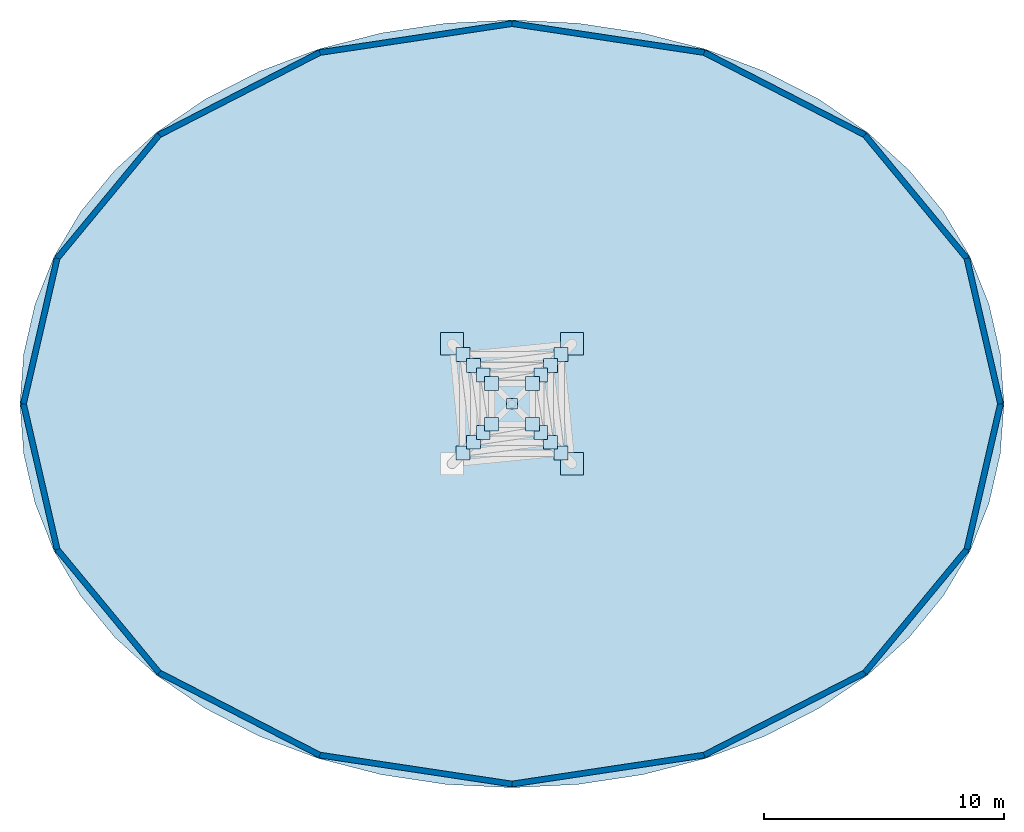
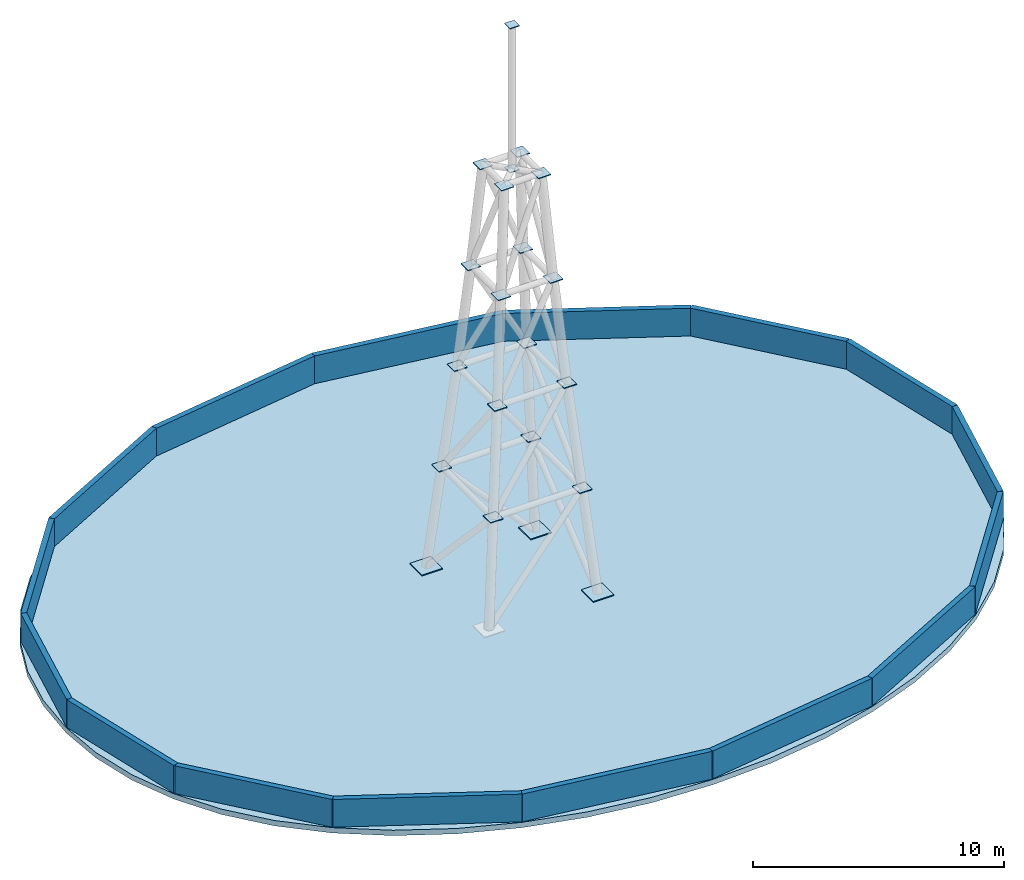
# One storey, part 2 of 2: 21 plates, 16 walls, 1 slab.
"""IFC4 building model written with IfcOpenShell, lengths in metres."""

import ifcopenshell
import ifcopenshell.guid

model = None  # the IFC model being written
_history = None  # IfcOwnerHistory: only IFC2X3 demands one
_inside = {}  # id of a spatial element -> (the spatial element, [elements in it])
_under = {}  # id of a project, library or spatial element -> (it, [spatial elements below it])
_declared = {}  # id of a project -> (the project, [libraries it declares])
_typed = {}  # id of a type object -> (the type object, [elements of that type])
_made_of = {}  # id of a material, layer set ... -> (it, [elements and type objects made of it])


def new_model(schema):
    """Start an empty IFC model of exactly this schema.

    Asked for "IFC4X3", IfcOpenShell would pick the latest addendum, in which some entities
    have other attributes; the version numbers below select the first issue.
    IFC2X3 requires an IfcOwnerHistory on every rooted entity: one is made here for all.
    """
    global model, _history
    if schema == "IFC4X3":
        model = ifcopenshell.file(schema_version=(4, 3, 0, 0))
    else:
        model = ifcopenshell.file(schema=schema)
    _inside.clear()
    _under.clear()
    _declared.clear()
    _typed.clear()
    _made_of.clear()
    _history = None
    if model.schema == "IFC2X3":
        org = make("IfcOrganization", Name="unknown")
        user = make(
            "IfcPersonAndOrganization",
            ThePerson=make("IfcPerson", FamilyName="unknown"),
            TheOrganization=org,
        )
        app = make(
            "IfcApplication",
            ApplicationDeveloper=org,
            Version="unknown",
            ApplicationFullName="unknown",
            ApplicationIdentifier="unknown",
        )
        _history = make(
            "IfcOwnerHistory",
            OwningUser=user,
            OwningApplication=app,
            ChangeAction="ADDED",
            CreationDate=0,
        )
    return model


def make(cls, **values):
    """One entity of the class cls with the attributes given. An attribute that is None is left unset."""
    return model.create_entity(
        cls, **{name: value for name, value in values.items() if value is not None}
    )


def rooted(cls, **values):
    """An entity with a GlobalId (a new one), such as an element, a storey or a relation."""
    return make(cls, GlobalId=ifcopenshell.guid.new(), OwnerHistory=_history, **values)


def si_unit(unit_type, name, prefix=None):
    """IfcSIUnit, for example si_unit("LENGTHUNIT", "METRE", prefix="MILLI")."""
    return make("IfcSIUnit", UnitType=unit_type, Prefix=prefix, Name=name)


def assignment(units):
    """IfcUnitAssignment: the units of a project."""
    return None if units is None else make("IfcUnitAssignment", Units=units)


def point(xyz):
    """IfcCartesianPoint."""
    return None if xyz is None else make("IfcCartesianPoint", Coordinates=xyz)


def direction(xyz):
    """IfcDirection."""
    return None if xyz is None else make("IfcDirection", DirectionRatios=xyz)


def frame(location, z_axis=None, x_axis=None):
    """IfcAxis2Placement3D, a coordinate frame: its origin and axes. An axis left out is left unset."""
    return make(
        "IfcAxis2Placement3D",
        Location=point(location),
        Axis=direction(z_axis),
        RefDirection=direction(x_axis),
    )


def frame_2d(location, x_axis=None):
    """IfcAxis2Placement2D, a coordinate frame in the plane: its origin and x axis."""
    return make(
        "IfcAxis2Placement2D", Location=point(location), RefDirection=direction(x_axis)
    )


def origin():
    """The frame at (0, 0, 0) with its axes left unset."""
    return frame((0.0, 0.0, 0.0))


def origin_2d():
    """The frame at (0, 0) in the plane with its x axis left unset."""
    return frame_2d((0.0, 0.0))


def place(relative_to, where):
    """IfcLocalPlacement: puts the frame where relative to a parent placement (None: the world)."""
    return make(
        "IfcLocalPlacement", PlacementRelTo=relative_to, RelativePlacement=where
    )


def context(
    kind, dimensions, precision=None, world=None, true_north=None, identifier=None
):
    """IfcGeometricRepresentationContext, for example the 3D "Model" context."""
    return make(
        "IfcGeometricRepresentationContext",
        ContextIdentifier=identifier,
        ContextType=kind,
        CoordinateSpaceDimension=dimensions,
        Precision=precision,
        WorldCoordinateSystem=world,
        TrueNorth=true_north,
    )


def subcontext(parent, identifier, kind, view, scale=None):
    """IfcGeometricRepresentationSubContext, for example "Body" below "Model"."""
    return make(
        "IfcGeometricRepresentationSubContext",
        ContextIdentifier=identifier,
        ContextType=kind,
        ParentContext=parent,
        TargetScale=scale,
        TargetView=view,
    )


def project(units=None, contexts=None):
    """IfcProject with its units and contexts."""
    return rooted(
        "IfcProject",
        Name="project",
        RepresentationContexts=contexts,
        UnitsInContext=assignment(units),
    )


def spatial(cls, under=None, at=None, **own):
    """A site, building, storey or space (cls), placed at a placement, below another one or the project."""
    s = rooted(cls, ObjectPlacement=at, **own)
    if under is not None:
        _under.setdefault(under.id(), (under, []))[1].append(s)
    return s


def polyline(points):
    """IfcPolyline through the points."""
    return make("IfcPolyline", Points=[point(p) for p in points])


def profile(cls, at=None, kind="AREA", **sizes):
    """A parametric profile (cls). Its sizes go by their IFC names, for example OverallWidth=200.0."""
    return make(cls, ProfileType=kind, Position=at, **sizes)


def rectangle(**sizes):
    """IfcRectangleProfileDef."""
    return profile("IfcRectangleProfileDef", **sizes)


def outline(outer, holes=None, kind="AREA"):
    """IfcArbitraryClosedProfileDef: a profile drawn as a closed curve; with holes, ...WithVoids."""
    if holes is None:
        return make("IfcArbitraryClosedProfileDef", ProfileType=kind, OuterCurve=outer)
    return make(
        "IfcArbitraryProfileDefWithVoids",
        ProfileType=kind,
        OuterCurve=outer,
        InnerCurves=holes,
    )


def extrude(swept, where, along, depth):
    """IfcExtrudedAreaSolid: the profile swept, set in the frame where, extruded along a direction by depth."""
    return make(
        "IfcExtrudedAreaSolid",
        SweptArea=swept,
        Position=where,
        ExtrudedDirection=direction(along),
        Depth=depth,
    )


def shape(context_of_items, identifier, shape_type, items):
    """IfcShapeRepresentation: the items that make up one representation, for example the "Body"."""
    return make(
        "IfcShapeRepresentation",
        ContextOfItems=context_of_items,
        RepresentationIdentifier=identifier,
        RepresentationType=shape_type,
        Items=items,
    )


def material(Name=None, Category=None):
    """IfcMaterial."""
    return make("IfcMaterial", Name=Name, Category=Category)


def layer(
    of_material, thickness, ventilated=None, Name=None, Category=None, Priority=None
):
    """IfcMaterialLayer: one layer of a wall or slab, of a material (None: an air gap)."""
    return make(
        "IfcMaterialLayer",
        Material=of_material,
        LayerThickness=thickness,
        IsVentilated=ventilated,
        Name=Name,
        Category=Category,
        Priority=Priority,
    )


def layer_set(layers, Name=None):
    """IfcMaterialLayerSet."""
    return make("IfcMaterialLayerSet", MaterialLayers=layers, LayerSetName=Name)


def made_of(thing, what):
    """Note that an element or type object is made of a material, layer set ...; save() writes the relation."""
    if what is not None:
        _made_of.setdefault(what.id(), (what, []))[1].append(thing)
    return thing


def type_object(cls, material=None, **own):
    """A type object (cls), such as IfcWallType, which elements share."""
    return made_of(rooted(cls, **own), material)


def element(
    cls,
    number,
    at=None,
    inside=None,
    cuts=None,
    type_object=None,
    material=None,
    context=None,
    identifier="Body",
    shape_type=None,
    held_by="IfcProductDefinitionShape",
    body=None,
    shapes=None,
    **own,
):
    """One element of the class cls, such as IfcWall. Its Tag is "e" and its number.

    at: its placement. inside: the storey or other place that contains it. cuts: it is an
    opening in that element (IfcRelVoidsElement). A single representation is given by context,
    identifier, shape_type and body (its items); several are given by shapes. held_by: the class
    of the entity that holds the representations. save() writes the other relations.
    """
    e = rooted(cls, Tag="e%d" % number, ObjectPlacement=at, **own)
    if body is not None:
        shapes = [shape(context, identifier, shape_type, body)]
    if shapes is not None:
        e.Representation = make(held_by, Representations=shapes)
    if inside is not None:
        _inside.setdefault(inside.id(), (inside, []))[1].append(e)
    if cuts is not None:
        rooted(
            "IfcRelVoidsElement", RelatingBuildingElement=cuts, RelatedOpeningElement=e
        )
    if type_object is not None:
        _typed.setdefault(type_object.id(), (type_object, []))[1].append(e)
    return made_of(e, material)


def aggregate(whole, parts):
    """IfcRelAggregates: a whole, such as a stair, and the parts it consists of."""
    return rooted("IfcRelAggregates", RelatingObject=whole, RelatedObjects=parts)


def save(model, path):
    """Write the relations noted so far, then the file.

    IfcRelAggregates (storeys below a building ...), IfcRelContainedInSpatialStructure (elements
    in a storey), IfcRelDefinesByType, IfcRelAssociatesMaterial and IfcRelDeclares: one each for
    every whole, place, type object, material and project.
    """
    for whole, parts in _under.values():
        aggregate(whole, parts)
    for where, things in _inside.values():
        rooted(
            "IfcRelContainedInSpatialStructure",
            RelatedElements=things,
            RelatingStructure=where,
        )
    for kind, things in _typed.values():
        rooted("IfcRelDefinesByType", RelatedObjects=things, RelatingType=kind)
    for what, things in _made_of.values():
        rooted("IfcRelAssociatesMaterial", RelatedObjects=things, RelatingMaterial=what)
    for by, libraries in _declared.values():
        rooted("IfcRelDeclares", RelatingContext=by, RelatedDefinitions=libraries)
    model.write(path)


model = new_model("IFC4")

# Units and contexts
model_context = context("Model", 3, precision=1e-05, world=origin(), true_north=direction((0.0, 1.0)))
body_context = subcontext(model_context, "Body", "Model", "MODEL_VIEW")
ifc_project = project(units=[si_unit("LENGTHUNIT", "METRE"), si_unit("AREAUNIT", "SQUARE_METRE"), si_unit("VOLUMEUNIT", "CUBIC_METRE"), si_unit("PLANEANGLEUNIT", "RADIAN"), si_unit("MASSUNIT", "GRAM", prefix="KILO")], contexts=[model_context])

# Site, building, storey
site_placement = place(None, origin())
site = spatial("IfcSite", under=ifc_project, at=site_placement, CompositionType="ELEMENT")
building_placement = place(site_placement, origin())
building = spatial("IfcBuilding", under=site, at=building_placement, Name="Sarneth Arch Tower", CompositionType="ELEMENT")
storey_placement = place(building_placement, frame((0.0, 0.0, 327.0)))
storey = spatial("IfcBuildingStorey", under=building, at=storey_placement, Name="Roof", CompositionType="ELEMENT", Elevation=327.0)

# Plates
ifc_material_1 = material(Name="Steel S355", Category="steel")
ifc_layer_1 = layer(ifc_material_1, 0.035888671875)
ifc_layer_set_1 = layer_set([ifc_layer_1], Name="Steel S355")
plate_type_1 = type_object("IfcPlateType", Name="PLT-GUSSET-30", PredefinedType="SHEET", material=ifc_layer_set_1)
for number, where, z_axis, x_axis, name in (
    (1, (45.949951171875, 39.949951171875, 4.98193359375), (0.0, 0.0, 1.0), (1.0, 0.0, 0.0), "Steel end cap plate GP-1"),
    (2, (50.050048828125, 39.949951171875, 4.98193359375), (0.0, 0.0, 1.0), (1.0, 0.0, 0.0), "Steel end cap plate GP-1"),
    (3, (50.050048828125, 44.050048828125, 4.98193359375), (0.0, 0.0, 1.0), (1.0, 0.0, 0.0), "Steel end cap plate GP-1"),
    (4, (45.949951171875, 44.050048828125, 4.98193359375), (0.0, 0.0, 1.0), (1.0, 0.0, 0.0), "Steel end cap plate GP-1"),
    (5, (46.39990234375, 40.39990234375, 9.98193359375), (0.0, 0.0, 1.0), (1.0, 0.0, 0.0), "Steel end cap plate GP-1"),
    (6, (49.60009765625, 40.39990234375, 9.98193359375), (0.0, 0.0, 1.0), (1.0, 0.0, 0.0), "Steel end cap plate GP-1"),
    (7, (49.60009765625, 43.60009765625, 9.98193359375), (0.0, 0.0, 1.0), (1.0, 0.0, 0.0), "Steel end cap plate GP-1"),
    (8, (46.39990234375, 43.60009765625, 9.98193359375), (0.0, 0.0, 1.0), (1.0, 0.0, 0.0), "Steel end cap plate GP-1"),
    (9, (46.800048828125, 40.800048828125, 14.98193359375), (0.0, 0.0, 1.0), (1.0, 0.0, 0.0), "Steel end cap plate GP-1"),
    (10, (49.199951171875, 40.800048828125, 14.98193359375), (0.0, 0.0, 1.0), (1.0, 0.0, 0.0), "Steel end cap plate GP-1"),
    (11, (49.199951171875, 43.199951171875, 14.98193359375), (0.0, 0.0, 1.0), (1.0, 0.0, 0.0), "Steel end cap plate GP-1"),
    (12, (46.800048828125, 43.199951171875, 14.98193359375), (0.0, 0.0, 1.0), (1.0, 0.0, 0.0), "Steel end cap plate GP-1"),
    (13, (47.14990234375, 41.14990234375, 19.98193359375), (0.0, 0.0, 1.0), (1.0, 0.0, 0.0), "Steel end cap plate GP-1"),
    (14, (48.85009765625, 41.14990234375, 19.98193359375), (0.0, 0.0, 1.0), (1.0, 0.0, 0.0), "Steel end cap plate GP-1"),
    (15, (48.85009765625, 42.85009765625, 19.98193359375), (0.0, 0.0, 1.0), (1.0, 0.0, 0.0), "Steel end cap plate GP-1"),
    (16, (47.14990234375, 42.85009765625, 19.98193359375), (0.0, 0.0, 1.0), (1.0, 0.0, 0.0), "Steel end cap plate GP-1"),
):
    element("IfcPlate", number, at=place(storey_placement, frame(where, z_axis=z_axis, x_axis=x_axis)), inside=storey, type_object=plate_type_1, Name=name, PredefinedType="SHEET", context=body_context, shape_type="SweptSolid", body=[
        extrude(rectangle(XDim=0.580078125, YDim=0.580078125, at=origin_2d()), origin(), (0.0, 0.0, 1.0), 0.035888671875),
    ])
for number, where, z_axis, x_axis, name in (
    (17, (48.0, 42.0, 19.98193359375), (0.0, 0.0, 1.0), (1.0, 0.0, 0.0), "Steel end cap plate GP-1"),
    (18, (48.0, 42.0, 26.98193359375), (0.0, 0.0, 1.0), (1.0, 0.0, 0.0), "Steel end cap plate GP-1"),
):
    element("IfcPlate", number, at=place(storey_placement, frame(where, z_axis=z_axis, x_axis=x_axis)), inside=storey, type_object=plate_type_1, Name=name, PredefinedType="SHEET", context=body_context, shape_type="SweptSolid", body=[
        extrude(rectangle(XDim=0.43994140625, YDim=0.43994140625, at=origin_2d()), origin(), (0.0, 0.0, 1.0), 0.035888671875),
    ])
ifc_material_2 = material(Name="Steel S355", Category="steel")
ifc_layer_2 = layer(ifc_material_2, 0.050048828125)
ifc_layer_set_2 = layer_set([ifc_layer_2], Name="Steel S355")
plate_type_2 = type_object("IfcPlateType", Name="PLT-MAST-BASE-50", PredefinedType="SHEET", material=ifc_layer_set_2)
for number, where, z_axis, x_axis, name in (
    (19, (50.5, 39.5, 0.0), (0.0, 0.0, 1.0), (1.0, 0.0, 0.0), "Broadcast Mast Base Plate 2"),
    (20, (50.5, 44.5, 0.0), (0.0, 0.0, 1.0), (1.0, 0.0, 0.0), "Broadcast Mast Base Plate 3"),
    (21, (45.5, 44.5, 0.0), (0.0, 0.0, 1.0), (1.0, 0.0, 0.0), "Broadcast Mast Base Plate 4"),
):
    element("IfcPlate", number, at=place(storey_placement, frame(where, z_axis=z_axis, x_axis=x_axis)), inside=storey, type_object=plate_type_2, Name=name, PredefinedType="SHEET", context=body_context, shape_type="SweptSolid", body=[
        extrude(rectangle(XDim=0.949951171875, YDim=0.949951171875, at=origin_2d()), origin(), (0.0, 0.0, 1.0), 0.050048828125),
    ])

# Slab
ifc_material_3 = material(Name="Concrete C50/60", Category="concrete")
ifc_layer_3 = layer(ifc_material_3, 0.260009765625)
ifc_layer_set_3 = layer_set([ifc_layer_3], Name="Concrete C50/60")
slab_type = type_object("IfcSlabType", Name="SLAB-ROOF-260", PredefinedType="ROOF", material=ifc_layer_set_3)
slab_placement = place(storey_placement, frame((0.0, 0.0, -0.260009765625)))
element("IfcSlab", 22, at=slab_placement, inside=storey, type_object=slab_type, Name="Rooftop drum structural roof slab", PredefinedType="ROOF", context=body_context, shape_type="SweptSolid", body=[
    extrude(outline(polyline([(68.50927734375, 42.0), (68.353515625, 44.08837890625), (67.88427734375, 46.14111328125), (67.09619140625, 48.123046875), (65.9853515625, 50.0), (64.553955078125, 51.740234375), (62.8154296875, 53.313720703125), (60.79541015625, 54.693603515625), (58.531494140625, 55.8564453125), (56.06982421875, 56.781982421875), (53.46044921875, 57.454833984375), (50.754150390625, 57.863037109375), (48.0, 58.0), (45.245849609375, 57.863037109375), (42.53955078125, 57.454833984375), (39.93017578125, 56.781982421875), (37.468505859375, 55.8564453125), (35.20458984375, 54.693603515625), (33.1845703125, 53.313720703125), (31.446044921875, 51.740234375), (30.0146484375, 50.0), (28.90380859375, 48.123046875), (28.11572265625, 46.14111328125), (27.646484375, 44.08837890625), (27.49072265625, 42.0), (27.646484375, 39.91162109375), (28.11572265625, 37.85888671875), (28.90380859375, 35.876953125), (30.0146484375, 34.0), (31.446044921875, 32.259765625), (33.1845703125, 30.686279296875), (35.20458984375, 29.306396484375), (37.468505859375, 28.1435546875), (39.93017578125, 27.218017578125), (42.53955078125, 26.545166015625), (45.245849609375, 26.136962890625), (48.0, 26.0), (50.754150390625, 26.136962890625), (53.46044921875, 26.545166015625), (56.06982421875, 27.218017578125), (58.531494140625, 28.1435546875), (60.79541015625, 29.306396484375), (62.8154296875, 30.686279296875), (64.553955078125, 32.259765625), (65.9853515625, 34.0), (67.09619140625, 35.876953125), (67.88427734375, 37.85888671875), (68.353515625, 39.91162109375), (68.50927734375, 42.0)])), origin(), (0.0, 0.0, 1.0), 0.260009765625),
])

# Walls
ifc_material_4 = material(Name="Extruded terracotta rainscreen on Concrete C40/50 backing", Category="masonry")
ifc_layer_4 = layer(ifc_material_4, 0.239990234375)
ifc_layer_set_4 = layer_set([ifc_layer_4], Name="Extruded terracotta rainscreen on Concrete C40/50 backing")
wall_type = type_object("IfcWallType", Name="WALL-PARAPET-240", PredefinedType="PARAPET", material=ifc_layer_set_4)
wall_1_placement = place(storey_placement, frame((68.36328125, 42.0, 0.0), z_axis=(0.0, 0.0, 1.0), x_axis=(-0.225334918394, 0.974281363135, 0.0)))
element("IfcWall", 23, at=wall_1_placement, inside=storey, type_object=wall_type, Name="Rooftop drum parapet 01", PredefinedType="PARAPET", context=body_context, shape_type="SweptSolid", body=[
    extrude(rectangle(XDim=6.2255859375, YDim=0.239990234375, at=frame_2d((3.11279296875, 0.0))), origin(), (0.0, 0.0, 1.0), 1.35009765625),
])
wall_2_placement = place(storey_placement, frame((66.96044921875, 48.0654296875, 0.0), z_axis=(0.0, 0.0, 1.0), x_axis=(-0.637097995572, 0.770782812495, 0.0)))
element("IfcWall", 24, at=wall_2_placement, inside=storey, type_object=wall_type, Name="Rooftop drum parapet 02", PredefinedType="PARAPET", context=body_context, shape_type="SweptSolid", body=[
    extrude(rectangle(XDim=6.671142578125, YDim=0.239990234375, at=frame_2d((3.33544921875, 0.0))), origin(), (0.0, 0.0, 1.0), 1.35009765625),
])
wall_3_placement = place(storey_placement, frame((62.710205078125, 53.20751953125, 0.0), z_axis=(0.0, 0.0, 1.0), x_axis=(-0.889747894379, 0.456452280582, 0.0)))
element("IfcWall", 25, at=wall_3_placement, inside=storey, type_object=wall_type, Name="Rooftop drum parapet 03", PredefinedType="PARAPET", context=body_context, shape_type="SweptSolid", body=[
    extrude(rectangle(XDim=7.527587890625, YDim=0.239990234375, at=frame_2d((3.763671875, 0.0))), origin(), (0.0, 0.0, 1.0), 1.35009765625),
])
for number, where, z_axis, x_axis, name in (
    (26, (56.012451171875, 56.6435546875, 0.0), (0.0, 0.0, 1.0), (-0.988851546642, 0.148904730294, 0.0), "Rooftop drum parapet 04"),
    (27, (48.0, 57.85009765625, 0.0), (0.0, 0.0, 1.0), (-0.988851546642, -0.148904730294, 0.0), "Rooftop drum parapet 05"),
):
    element("IfcWall", number, at=place(storey_placement, frame(where, z_axis=z_axis, x_axis=x_axis)), inside=storey, type_object=wall_type, Name=name, PredefinedType="PARAPET", context=body_context, shape_type="SweptSolid", body=[
        extrude(rectangle(XDim=8.102783203125, YDim=0.239990234375, at=frame_2d((4.05126953125, 0.0))), origin(), (0.0, 0.0, 1.0), 1.35009765625),
    ])
wall_4_placement = place(storey_placement, frame((39.987548828125, 56.6435546875, 0.0), z_axis=(0.0, 0.0, 1.0), x_axis=(-0.889747894379, -0.456452280582, 0.0)))
element("IfcWall", 28, at=wall_4_placement, inside=storey, type_object=wall_type, Name="Rooftop drum parapet 06", PredefinedType="PARAPET", context=body_context, shape_type="SweptSolid", body=[
    extrude(rectangle(XDim=7.527587890625, YDim=0.239990234375, at=frame_2d((3.763671875, 0.0))), origin(), (0.0, 0.0, 1.0), 1.35009765625),
])
wall_5_placement = place(storey_placement, frame((33.289794921875, 53.20751953125, 0.0), z_axis=(0.0, 0.0, 1.0), x_axis=(-0.637097995572, -0.770782812495, 0.0)))
element("IfcWall", 29, at=wall_5_placement, inside=storey, type_object=wall_type, Name="Rooftop drum parapet 07", PredefinedType="PARAPET", context=body_context, shape_type="SweptSolid", body=[
    extrude(rectangle(XDim=6.671142578125, YDim=0.239990234375, at=frame_2d((3.33544921875, 0.0))), origin(), (0.0, 0.0, 1.0), 1.35009765625),
])
for number, where, z_axis, x_axis, name in (
    (30, (29.03955078125, 48.0654296875, 0.0), (0.0, 0.0, 1.0), (-0.225334918394, -0.974281363135, 0.0), "Rooftop drum parapet 08"),
    (31, (27.63671875, 42.0, 0.0), (0.0, 0.0, 1.0), (0.225334918394, -0.974281363135, 0.0), "Rooftop drum parapet 09"),
):
    element("IfcWall", number, at=place(storey_placement, frame(where, z_axis=z_axis, x_axis=x_axis)), inside=storey, type_object=wall_type, Name=name, PredefinedType="PARAPET", context=body_context, shape_type="SweptSolid", body=[
        extrude(rectangle(XDim=6.2255859375, YDim=0.239990234375, at=frame_2d((3.11279296875, 0.0))), origin(), (0.0, 0.0, 1.0), 1.35009765625),
    ])
wall_6_placement = place(storey_placement, frame((29.03955078125, 35.9345703125, 0.0), z_axis=(0.0, 0.0, 1.0), x_axis=(0.637097995572, -0.770782812495, 0.0)))
element("IfcWall", 32, at=wall_6_placement, inside=storey, type_object=wall_type, Name="Rooftop drum parapet 10", PredefinedType="PARAPET", context=body_context, shape_type="SweptSolid", body=[
    extrude(rectangle(XDim=6.671142578125, YDim=0.239990234375, at=frame_2d((3.33544921875, 0.0))), origin(), (0.0, 0.0, 1.0), 1.35009765625),
])
wall_7_placement = place(storey_placement, frame((33.289794921875, 30.79248046875, 0.0), z_axis=(0.0, 0.0, 1.0), x_axis=(0.889747894379, -0.456452280582, 0.0)))
element("IfcWall", 33, at=wall_7_placement, inside=storey, type_object=wall_type, Name="Rooftop drum parapet 11", PredefinedType="PARAPET", context=body_context, shape_type="SweptSolid", body=[
    extrude(rectangle(XDim=7.527587890625, YDim=0.239990234375, at=frame_2d((3.763671875, 0.0))), origin(), (0.0, 0.0, 1.0), 1.35009765625),
])
for number, where, z_axis, x_axis, name in (
    (34, (39.987548828125, 27.3564453125, 0.0), (0.0, 0.0, 1.0), (0.988851546642, -0.148904730294, 0.0), "Rooftop drum parapet 12"),
    (35, (48.0, 26.14990234375, 0.0), (0.0, 0.0, 1.0), (0.988851546642, 0.148904730294, 0.0), "Rooftop drum parapet 13"),
):
    element("IfcWall", number, at=place(storey_placement, frame(where, z_axis=z_axis, x_axis=x_axis)), inside=storey, type_object=wall_type, Name=name, PredefinedType="PARAPET", context=body_context, shape_type="SweptSolid", body=[
        extrude(rectangle(XDim=8.102783203125, YDim=0.239990234375, at=frame_2d((4.05126953125, 0.0))), origin(), (0.0, 0.0, 1.0), 1.35009765625),
    ])
wall_8_placement = place(storey_placement, frame((56.012451171875, 27.3564453125, 0.0), z_axis=(0.0, 0.0, 1.0), x_axis=(0.889747894379, 0.456452280582, 0.0)))
element("IfcWall", 36, at=wall_8_placement, inside=storey, type_object=wall_type, Name="Rooftop drum parapet 14", PredefinedType="PARAPET", context=body_context, shape_type="SweptSolid", body=[
    extrude(rectangle(XDim=7.527587890625, YDim=0.239990234375, at=frame_2d((3.763671875, 0.0))), origin(), (0.0, 0.0, 1.0), 1.35009765625),
])
wall_9_placement = place(storey_placement, frame((62.710205078125, 30.79248046875, 0.0), z_axis=(0.0, 0.0, 1.0), x_axis=(0.637097995572, 0.770782812495, 0.0)))
element("IfcWall", 37, at=wall_9_placement, inside=storey, type_object=wall_type, Name="Rooftop drum parapet 15", PredefinedType="PARAPET", context=body_context, shape_type="SweptSolid", body=[
    extrude(rectangle(XDim=6.671142578125, YDim=0.239990234375, at=frame_2d((3.33544921875, 0.0))), origin(), (0.0, 0.0, 1.0), 1.35009765625),
])
wall_10_placement = place(storey_placement, frame((66.96044921875, 35.9345703125, 0.0), z_axis=(0.0, 0.0, 1.0), x_axis=(0.225334918394, 0.974281363135, 0.0)))
element("IfcWall", 38, at=wall_10_placement, inside=storey, type_object=wall_type, Name="Rooftop drum parapet 16", PredefinedType="PARAPET", context=body_context, shape_type="SweptSolid", body=[
    extrude(rectangle(XDim=6.2255859375, YDim=0.239990234375, at=frame_2d((3.11279296875, 0.0))), origin(), (0.0, 0.0, 1.0), 1.35009765625),
])

save(model, "model.ifc")
